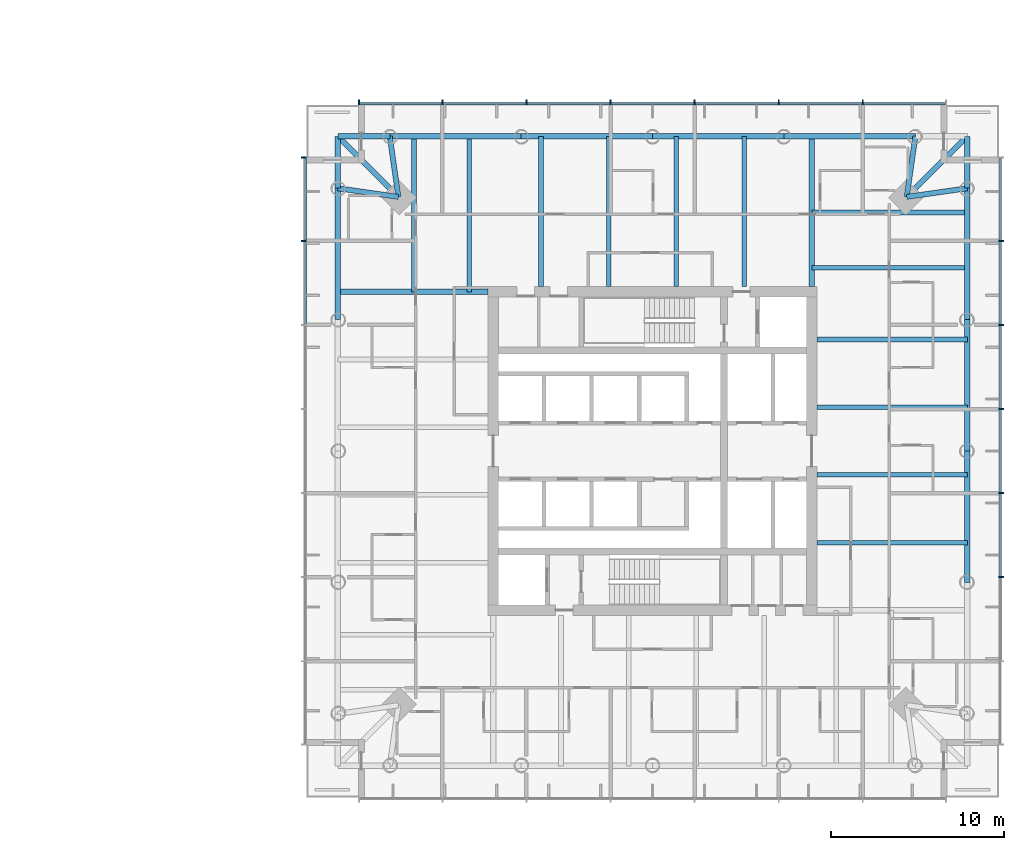
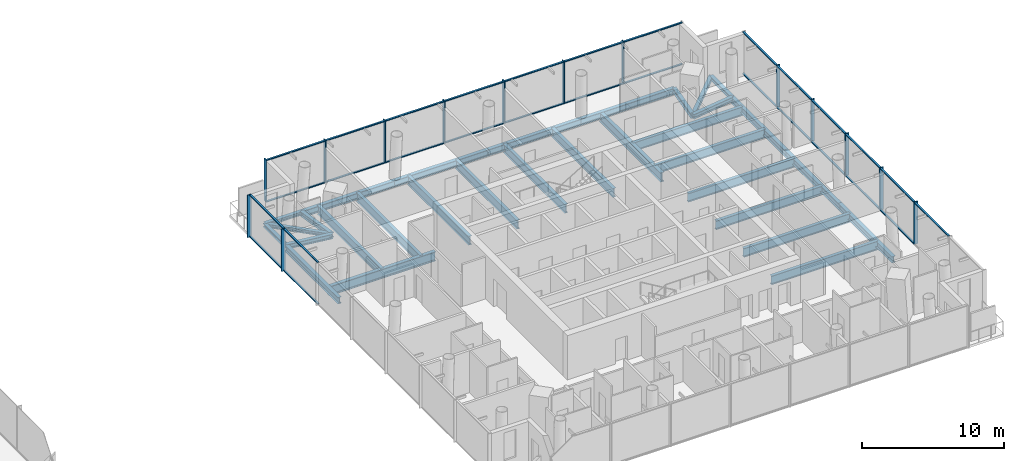
# One storey, part 6 of 22: 43 members, 31 beams, 3 elements without a shape of their own.
"""IFC4 building model written with IfcOpenShell, lengths in metres."""

from ifc_helpers import new_model, si_unit, direction, frame, origin, origin_2d, place, context, subcontext, project, spatial, rectangle, i_section, extrude, material, material_profile, profile_set, type_object, element, aggregate, save


model = new_model("IFC4")

# Units and contexts
model_context = context("Model", 3, precision=1e-05, world=origin(), true_north=direction((0.0, 1.0)))
body_context = subcontext(model_context, "Body", "Model", "MODEL_VIEW")
ifc_project = project(units=[si_unit("LENGTHUNIT", "METRE"), si_unit("AREAUNIT", "SQUARE_METRE"), si_unit("VOLUMEUNIT", "CUBIC_METRE"), si_unit("PLANEANGLEUNIT", "RADIAN"), si_unit("MASSUNIT", "GRAM", prefix="KILO")], contexts=[model_context])

# Site, building, storey
site_placement = place(None, origin())
site = spatial("IfcSite", under=ifc_project, at=site_placement, CompositionType="ELEMENT")
building_placement = place(site_placement, origin())
building = spatial("IfcBuilding", under=site, at=building_placement, Name="Ostroluk Exchange", CompositionType="ELEMENT")
storey_placement = place(building_placement, frame((0.0, 0.0, 40.0)))
storey = spatial("IfcBuildingStorey", under=building, at=storey_placement, Name="L09", CompositionType="ELEMENT", Elevation=40.0)

# Beams
ifc_material_1 = material(Name="Steel S355", Category="steel")
ifc_material_profile_1 = material_profile(ifc_material_1, i_section(OverallWidth=0.300048828125, OverallDepth=0.300048828125, WebThickness=0.010986328125, FlangeThickness=0.01904296875, FilletRadius=0.027099609375, at=origin_2d()), Name="HEB 300")
ifc_profile_set_1 = profile_set([ifc_material_profile_1], Name="Steel S355")
beam_type_1 = type_object("IfcBeamType", Name="Balcony beam HEB 300", PredefinedType="BEAM", material=ifc_profile_set_1)
beam_1_placement = place(storey_placement, frame((135.18115234375, 61.18115234375, -0.35009765625), z_axis=(0.0, 1.0, 0.0), x_axis=(-1.0, 0.0, 0.0)))
element("IfcBeam", 1, at=beam_1_placement, inside=storey, type_object=beam_type_1, Name="T2 east balcony beam a", PredefinedType="BEAM", context=body_context, shape_type="SweptSolid", body=[
    extrude(i_section(OverallWidth=0.300048828125, OverallDepth=0.300048828125, WebThickness=0.010986328125, FlangeThickness=0.01904296875, FilletRadius=0.027099609375, at=origin_2d()), origin(), (0.0, 0.0, 1.0), 3.0),
])
beam_2_placement = place(storey_placement, frame((131.68115234375, 60.68115234375, -0.35009765625), z_axis=(0.707106781187, 0.707106781187, 0.0), x_axis=(-0.707106781187, 0.707106781187, 0.0)))
element("IfcBeam", 2, at=beam_2_placement, inside=storey, type_object=beam_type_1, Name="T2 east balcony beam c", PredefinedType="BEAM", context=body_context, shape_type="SweptSolid", body=[
    extrude(i_section(OverallWidth=0.300048828125, OverallDepth=0.300048828125, WebThickness=0.010986328125, FlangeThickness=0.01904296875, FilletRadius=0.027099609375, at=origin_2d()), origin(), (0.0, 0.0, 1.0), 4.94970703125),
])
for number, where, z_axis, x_axis, name in (
    (3, (101.81884765625, 64.18115234375, -0.35009765625), (-1.0, 0.0, 0.0), (0.0, -1.0, 0.0), "T2 north balcony beam a"),
    (4, (98.81884765625, 61.18115234375, -0.35009765625), (0.0, 1.0, 0.0), (-1.0, 0.0, 0.0), "T2 north balcony beam b"),
):
    element("IfcBeam", number, at=place(storey_placement, frame(where, z_axis=z_axis, x_axis=x_axis)), inside=storey, type_object=beam_type_1, Name=name, PredefinedType="BEAM", context=body_context, shape_type="SweptSolid", body=[
        extrude(i_section(OverallWidth=0.300048828125, OverallDepth=0.300048828125, WebThickness=0.010986328125, FlangeThickness=0.01904296875, FilletRadius=0.027099609375, at=origin_2d()), origin(), (0.0, 0.0, 1.0), 3.0),
    ])
beam_3_placement = place(storey_placement, frame((102.31884765625, 60.68115234375, -0.35009765625), z_axis=(-0.707106781187, 0.707106781187, 0.0), x_axis=(-0.707106781187, -0.707106781187, 0.0)))
element("IfcBeam", 5, at=beam_3_placement, inside=storey, type_object=beam_type_1, Name="T2 north balcony beam c", PredefinedType="BEAM", context=body_context, shape_type="SweptSolid", body=[
    extrude(i_section(OverallWidth=0.300048828125, OverallDepth=0.300048828125, WebThickness=0.010986328125, FlangeThickness=0.01904296875, FilletRadius=0.027099609375, at=origin_2d()), origin(), (0.0, 0.0, 1.0), 4.94970703125),
])
ifc_material_2 = material(Name="Steel S355", Category="steel")
ifc_material_profile_2 = material_profile(ifc_material_2, i_section(OverallWidth=0.300048828125, OverallDepth=0.39990234375, WebThickness=0.013427734375, FlangeThickness=0.02392578125, FilletRadius=0.027099609375, at=origin_2d()), Name="HEB 400")
ifc_profile_set_2 = profile_set([ifc_material_profile_2], Name="Steel S355")
beam_type_2 = type_object("IfcBeamType", Name="Corner edge beam HEB 400", PredefinedType="SPANDREL", material=ifc_profile_set_2)
for number, where, z_axis, x_axis, name in (
    (6, (131.68115234375, 60.68115234375, -0.39990234375), (0.989949493661, 0.141421356237, 0.0), (-0.141421356237, 0.989949493661, 0.0), "T2 east corner edge beam a"),
    (7, (131.68115234375, 60.68115234375, -0.39990234375), (0.141421356237, 0.989949493661, 0.0), (-0.989949493661, 0.141421356237, 0.0), "T2 east corner edge beam b"),
    (8, (102.31884765625, 60.68115234375, -0.39990234375), (-0.141421356237, 0.989949493661, 0.0), (-0.989949493661, -0.141421356237, 0.0), "T2 north corner edge beam a"),
    (9, (102.31884765625, 60.68115234375, -0.39990234375), (-0.989949493661, 0.141421356237, 0.0), (-0.141421356237, -0.989949493661, 0.0), "T2 north corner edge beam b"),
):
    element("IfcBeam", number, at=place(storey_placement, frame(where, z_axis=z_axis, x_axis=x_axis)), inside=storey, type_object=beam_type_2, Name=name, PredefinedType="SPANDREL", context=body_context, shape_type="SweptSolid", body=[
        extrude(i_section(OverallWidth=0.300048828125, OverallDepth=0.39990234375, WebThickness=0.013427734375, FlangeThickness=0.02392578125, FilletRadius=0.027099609375, at=origin_2d()), origin(), (0.0, 0.0, 1.0), 3.53564453125),
    ])
ifc_material_3 = material(Name="Steel S355", Category="steel")
ifc_material_profile_3 = material_profile(ifc_material_3, i_section(OverallWidth=0.264892578125, OverallDepth=0.7529296875, WebThickness=0.01318359375, FlangeThickness=0.01708984375, FilletRadius=0.01708984375, at=origin_2d()), Name="IPE 750x147")
ifc_profile_set_3 = profile_set([ifc_material_profile_3], Name="Steel S355")
beam_type_3 = type_object("IfcBeamType", Name="Floor beam IPE 750x147", PredefinedType="BEAM", material=ifc_profile_set_3)
for number, where, z_axis, x_axis, name in (
    (10, (126.5, 40.711669921875, -0.576416015625), (1.0, 0.0, 0.0), (0.0, 1.0, 0.0), "T2 east floor beam 1"),
    (11, (126.5, 44.623046875, -0.576416015625), (1.0, 0.0, 0.0), (0.0, 1.0, 0.0), "T2 east floor beam 2"),
    (12, (126.5, 48.53466796875, -0.576416015625), (1.0, 0.0, 0.0), (0.0, 1.0, 0.0), "T2 east floor beam 3"),
    (13, (126.5, 52.4462890625, -0.576416015625), (1.0, 0.0, 0.0), (0.0, 1.0, 0.0), "T2 east floor beam 4"),
):
    element("IfcBeam", number, at=place(storey_placement, frame(where, z_axis=z_axis, x_axis=x_axis)), inside=storey, type_object=beam_type_3, Name=name, PredefinedType="BEAM", context=body_context, shape_type="SweptSolid", body=[
        extrude(i_section(OverallWidth=0.264892578125, OverallDepth=0.7529296875, WebThickness=0.01318359375, FlangeThickness=0.01708984375, FilletRadius=0.01708984375, at=origin_2d()), origin(), (0.0, 0.0, 1.0), 8.68115234375),
    ])
for number, where, z_axis, x_axis, name in (
    (14, (126.199951171875, 56.60009765625, -0.576416015625), (1.0, 0.0, 0.0), (0.0, 1.0, 0.0), "T2 east floor beam 5"),
    (15, (126.199951171875, 59.781005859375, -0.576416015625), (1.0, 0.0, 0.0), (0.0, 1.0, 0.0), "T2 east floor beam 6"),
):
    element("IfcBeam", number, at=place(storey_placement, frame(where, z_axis=z_axis, x_axis=x_axis)), inside=storey, type_object=beam_type_3, Name=name, PredefinedType="BEAM", context=body_context, shape_type="SweptSolid", body=[
        extrude(i_section(OverallWidth=0.264892578125, OverallDepth=0.7529296875, WebThickness=0.01318359375, FlangeThickness=0.01708984375, FilletRadius=0.01708984375, at=origin_2d()), origin(), (0.0, 0.0, 1.0), 8.981201171875),
    ])
for number, where, z_axis, x_axis, name in (
    (16, (122.288330078125, 55.5, -0.576416015625), (0.0, 1.0, 0.0), (-1.0, 0.0, 0.0), "T2 north floor beam 1"),
    (17, (118.376953125, 55.5, -0.576416015625), (0.0, 1.0, 0.0), (-1.0, 0.0, 0.0), "T2 north floor beam 2"),
    (18, (114.46533203125, 55.5, -0.576416015625), (0.0, 1.0, 0.0), (-1.0, 0.0, 0.0), "T2 north floor beam 3"),
    (19, (110.5537109375, 55.5, -0.576416015625), (0.0, 1.0, 0.0), (-1.0, 0.0, 0.0), "T2 north floor beam 4"),
):
    element("IfcBeam", number, at=place(storey_placement, frame(where, z_axis=z_axis, x_axis=x_axis)), inside=storey, type_object=beam_type_3, Name=name, PredefinedType="BEAM", context=body_context, shape_type="SweptSolid", body=[
        extrude(i_section(OverallWidth=0.264892578125, OverallDepth=0.7529296875, WebThickness=0.01318359375, FlangeThickness=0.01708984375, FilletRadius=0.01708984375, at=origin_2d()), origin(), (0.0, 0.0, 1.0), 8.68115234375),
    ])
for number, where, z_axis, x_axis, name in (
    (20, (106.39990234375, 55.199951171875, -0.576416015625), (0.0, 1.0, 0.0), (-1.0, 0.0, 0.0), "T2 north floor beam 5"),
    (21, (103.218994140625, 55.199951171875, -0.576416015625), (0.0, 1.0, 0.0), (-1.0, 0.0, 0.0), "T2 north floor beam 6"),
):
    element("IfcBeam", number, at=place(storey_placement, frame(where, z_axis=z_axis, x_axis=x_axis)), inside=storey, type_object=beam_type_3, Name=name, PredefinedType="BEAM", context=body_context, shape_type="SweptSolid", body=[
        extrude(i_section(OverallWidth=0.264892578125, OverallDepth=0.7529296875, WebThickness=0.01318359375, FlangeThickness=0.01708984375, FilletRadius=0.01708984375, at=origin_2d()), origin(), (0.0, 0.0, 1.0), 8.981201171875),
    ])
ifc_material_4 = material(Name="Steel S355", Category="steel")
ifc_material_profile_4 = material_profile(ifc_material_4, i_section(OverallWidth=0.300048828125, OverallDepth=0.800048828125, WebThickness=0.017578125, FlangeThickness=0.032958984375, FilletRadius=0.030029296875, at=origin_2d()), Name="HEB 800")
ifc_profile_set_4 = profile_set([ifc_material_profile_4], Name="Steel S355")
beam_type_4 = type_object("IfcBeamType", Name="Girder HEB 800", PredefinedType="BEAM", material=ifc_profile_set_4)
for number, where, z_axis, x_axis, name in (
    (22, (126.199951171875, 55.5, -0.60009765625), (0.0, 1.0, 0.0), (-1.0, 0.0, 0.0), "T2 east girder"),
    (23, (107.5, 55.199951171875, -0.60009765625), (-1.0, 0.0, 0.0), (0.0, -1.0, 0.0), "T2 north girder"),
):
    element("IfcBeam", number, at=place(storey_placement, frame(where, z_axis=z_axis, x_axis=x_axis)), inside=storey, type_object=beam_type_4, Name=name, PredefinedType="BEAM", context=body_context, shape_type="SweptSolid", body=[
        extrude(i_section(OverallWidth=0.300048828125, OverallDepth=0.800048828125, WebThickness=0.017578125, FlangeThickness=0.032958984375, FilletRadius=0.030029296875, at=origin_2d()), origin(), (0.0, 0.0, 1.0), 8.68115234375),
    ])
ifc_material_5 = material(Name="Steel S355", Category="steel")
ifc_material_profile_5 = material_profile(ifc_material_5, i_section(OverallWidth=0.300048828125, OverallDepth=0.550048828125, WebThickness=0.014892578125, FlangeThickness=0.029052734375, FilletRadius=0.027099609375, at=origin_2d()), Name="HEB 550")
ifc_profile_set_5 = profile_set([ifc_material_profile_5], Name="Steel S355")
beam_type_5 = type_object("IfcBeamType", Name="Moment-connected edge beam HEB 550", PredefinedType="SPANDREL", material=ifc_profile_set_5)
for number, where, z_axis, x_axis, name in (
    (24, (135.18115234375, 38.409423828125, -0.47509765625), (0.0, 1.0, 0.0), (-1.0, 0.0, 0.0), "T2 east edge beam 2"),
    (25, (135.18115234375, 46.0, -0.47509765625), (0.0, 1.0, 0.0), (-1.0, 0.0, 0.0), "T2 east edge beam 3"),
    (26, (135.18115234375, 53.590576171875, -0.47509765625), (0.0, 1.0, 0.0), (-1.0, 0.0, 0.0), "T2 east edge beam 4"),
    (27, (132.18115234375, 64.18115234375, -0.47509765625), (-1.0, 0.0, 0.0), (0.0, -1.0, 0.0), "T2 north edge beam 1"),
    (28, (124.590576171875, 64.18115234375, -0.47509765625), (-1.0, 0.0, 0.0), (0.0, -1.0, 0.0), "T2 north edge beam 2"),
    (29, (117.0, 64.18115234375, -0.47509765625), (-1.0, 0.0, 0.0), (0.0, -1.0, 0.0), "T2 north edge beam 3"),
    (30, (109.409423828125, 64.18115234375, -0.47509765625), (-1.0, 0.0, 0.0), (0.0, -1.0, 0.0), "T2 north edge beam 4"),
    (31, (98.81884765625, 61.18115234375, -0.47509765625), (0.0, -1.0, 0.0), (1.0, 0.0, 0.0), "T2 west edge beam 1"),
):
    element("IfcBeam", number, at=place(storey_placement, frame(where, z_axis=z_axis, x_axis=x_axis)), inside=storey, type_object=beam_type_5, Name=name, PredefinedType="SPANDREL", context=body_context, shape_type="SweptSolid", body=[
        extrude(i_section(OverallWidth=0.300048828125, OverallDepth=0.550048828125, WebThickness=0.014892578125, FlangeThickness=0.029052734375, FilletRadius=0.027099609375, at=origin_2d()), origin(), (0.0, 0.0, 1.0), 7.590576171875),
    ])

# Curtain wall, members
ifc_material_6 = material(Name="Laminated clear glass", Category="glass")
curtain_wall_type = type_object("IfcCurtainWallType", Name="Hotel guest floor facade", PredefinedType="USERDEFINED", material=ifc_material_6)
curtain_wall_1_placement = place(storey_placement, origin())
curtain_wall_1 = element("IfcCurtainWall", 32, at=curtain_wall_1_placement, inside=storey, type_object=curtain_wall_type, Name="Hotel tower east facade L09", ObjectType="UNITISED CURTAIN WALL", PredefinedType="USERDEFINED")
ifc_material_7 = material(Name="Aluminium mullion", Category="aluminium")
ifc_material_profile_6 = material_profile(ifc_material_7, rectangle(XDim=0.14990234375, YDim=0.080078125, at=origin_2d()), Name="Sill transom 80 x 150")
ifc_profile_set_6 = profile_set([ifc_material_profile_6], Name="Aluminium mullion")
member_type_1 = type_object("IfcMemberType", Name="Sill transom 80 x 150", PredefinedType="USERDEFINED", material=ifc_profile_set_6)
member_1_placement = place(storey_placement, frame((137.074951171875, 33.897216796875, 3.610107421875), z_axis=(0.0, 1.0, 0.0), x_axis=(-1.0, 0.0, 0.0)))
member_1 = element("IfcMember", 33, at=member_1_placement, type_object=member_type_1, Name="CW-H1 transom 2.2", ObjectType="TRANSOM", PredefinedType="USERDEFINED", context=body_context, shape_type="SweptSolid", body=[
    extrude(rectangle(XDim=0.14990234375, YDim=0.080078125, at=origin_2d()), origin(), (0.0, 0.0, 1.0), 4.777099609375),
])
member_2_placement = place(storey_placement, frame((137.074951171875, 38.75439453125, 0.0400390625), z_axis=(0.0, 1.0, 0.0), x_axis=(-1.0, 0.0, 0.0)))
member_2 = element("IfcMember", 34, at=member_2_placement, type_object=member_type_1, Name="CW-H1 transom 3.1", ObjectType="TRANSOM", PredefinedType="USERDEFINED", context=body_context, shape_type="SweptSolid", body=[
    extrude(rectangle(XDim=0.14990234375, YDim=0.080078125, at=origin_2d()), origin(), (0.0, 0.0, 1.0), 4.777099609375),
])
member_3_placement = place(storey_placement, frame((137.074951171875, 38.75439453125, 3.610107421875), z_axis=(0.0, 1.0, 0.0), x_axis=(-1.0, 0.0, 0.0)))
member_3 = element("IfcMember", 35, at=member_3_placement, type_object=member_type_1, Name="CW-H1 transom 3.2", ObjectType="TRANSOM", PredefinedType="USERDEFINED", context=body_context, shape_type="SweptSolid", body=[
    extrude(rectangle(XDim=0.14990234375, YDim=0.080078125, at=origin_2d()), origin(), (0.0, 0.0, 1.0), 4.777099609375),
])
member_4_placement = place(storey_placement, frame((137.074951171875, 43.611328125, 0.0400390625), z_axis=(0.0, 1.0, 0.0), x_axis=(-1.0, 0.0, 0.0)))
member_4 = element("IfcMember", 36, at=member_4_placement, type_object=member_type_1, Name="CW-H1 transom 4.1", ObjectType="TRANSOM", PredefinedType="USERDEFINED", context=body_context, shape_type="SweptSolid", body=[
    extrude(rectangle(XDim=0.14990234375, YDim=0.080078125, at=origin_2d()), origin(), (0.0, 0.0, 1.0), 4.77734375),
])
member_5_placement = place(storey_placement, frame((137.074951171875, 43.611328125, 3.610107421875), z_axis=(0.0, 1.0, 0.0), x_axis=(-1.0, 0.0, 0.0)))
member_5 = element("IfcMember", 37, at=member_5_placement, type_object=member_type_1, Name="CW-H1 transom 4.2", ObjectType="TRANSOM", PredefinedType="USERDEFINED", context=body_context, shape_type="SweptSolid", body=[
    extrude(rectangle(XDim=0.14990234375, YDim=0.080078125, at=origin_2d()), origin(), (0.0, 0.0, 1.0), 4.77734375),
])
member_6_placement = place(storey_placement, frame((137.074951171875, 48.468505859375, 0.0400390625), z_axis=(0.0, 1.0, 0.0), x_axis=(-1.0, 0.0, 0.0)))
member_6 = element("IfcMember", 38, at=member_6_placement, type_object=member_type_1, Name="CW-H1 transom 5.1", ObjectType="TRANSOM", PredefinedType="USERDEFINED", context=body_context, shape_type="SweptSolid", body=[
    extrude(rectangle(XDim=0.14990234375, YDim=0.080078125, at=origin_2d()), origin(), (0.0, 0.0, 1.0), 4.777099609375),
])
member_7_placement = place(storey_placement, frame((137.074951171875, 48.468505859375, 3.610107421875), z_axis=(0.0, 1.0, 0.0), x_axis=(-1.0, 0.0, 0.0)))
member_7 = element("IfcMember", 39, at=member_7_placement, type_object=member_type_1, Name="CW-H1 transom 5.2", ObjectType="TRANSOM", PredefinedType="USERDEFINED", context=body_context, shape_type="SweptSolid", body=[
    extrude(rectangle(XDim=0.14990234375, YDim=0.080078125, at=origin_2d()), origin(), (0.0, 0.0, 1.0), 4.777099609375),
])
member_8_placement = place(storey_placement, frame((137.074951171875, 53.32568359375, 0.0400390625), z_axis=(0.0, 1.0, 0.0), x_axis=(-1.0, 0.0, 0.0)))
member_8 = element("IfcMember", 40, at=member_8_placement, type_object=member_type_1, Name="CW-H1 transom 6.1", ObjectType="TRANSOM", PredefinedType="USERDEFINED", context=body_context, shape_type="SweptSolid", body=[
    extrude(rectangle(XDim=0.14990234375, YDim=0.080078125, at=origin_2d()), origin(), (0.0, 0.0, 1.0), 4.777099609375),
])
member_9_placement = place(storey_placement, frame((137.074951171875, 53.32568359375, 3.610107421875), z_axis=(0.0, 1.0, 0.0), x_axis=(-1.0, 0.0, 0.0)))
member_9 = element("IfcMember", 41, at=member_9_placement, type_object=member_type_1, Name="CW-H1 transom 6.2", ObjectType="TRANSOM", PredefinedType="USERDEFINED", context=body_context, shape_type="SweptSolid", body=[
    extrude(rectangle(XDim=0.14990234375, YDim=0.080078125, at=origin_2d()), origin(), (0.0, 0.0, 1.0), 4.777099609375),
])
member_10_placement = place(storey_placement, frame((137.074951171875, 58.182861328125, 0.0400390625), z_axis=(0.0, 1.0, 0.0), x_axis=(-1.0, 0.0, 0.0)))
member_10 = element("IfcMember", 42, at=member_10_placement, type_object=member_type_1, Name="CW-H1 transom 7.1", ObjectType="TRANSOM", PredefinedType="USERDEFINED", context=body_context, shape_type="SweptSolid", body=[
    extrude(rectangle(XDim=0.14990234375, YDim=0.080078125, at=origin_2d()), origin(), (0.0, 0.0, 1.0), 4.737060546875),
])
member_11_placement = place(storey_placement, frame((137.074951171875, 58.182861328125, 3.610107421875), z_axis=(0.0, 1.0, 0.0), x_axis=(-1.0, 0.0, 0.0)))
member_11 = element("IfcMember", 43, at=member_11_placement, type_object=member_type_1, Name="CW-H1 transom 7.2", ObjectType="TRANSOM", PredefinedType="USERDEFINED", context=body_context, shape_type="SweptSolid", body=[
    extrude(rectangle(XDim=0.14990234375, YDim=0.080078125, at=origin_2d()), origin(), (0.0, 0.0, 1.0), 4.737060546875),
])

curtain_wall_2_placement = place(storey_placement, origin())
curtain_wall_2 = element("IfcCurtainWall", 44, at=curtain_wall_2_placement, inside=storey, type_object=curtain_wall_type, Name="Hotel tower north facade L09", ObjectType="UNITISED CURTAIN WALL", PredefinedType="USERDEFINED")
member_12_placement = place(storey_placement, frame((133.919921875, 66.074951171875, 0.0400390625), z_axis=(-1.0, 0.0, 0.0), x_axis=(0.0, -1.0, 0.0)))
member_12 = element("IfcMember", 45, at=member_12_placement, type_object=member_type_1, Name="CW-H1 transom 1.1", ObjectType="TRANSOM", PredefinedType="USERDEFINED", context=body_context, shape_type="SweptSolid", body=[
    extrude(rectangle(XDim=0.14990234375, YDim=0.080078125, at=origin_2d()), origin(), (0.0, 0.0, 1.0), 4.737060546875),
])
member_13_placement = place(storey_placement, frame((133.919921875, 66.074951171875, 3.610107421875), z_axis=(-1.0, 0.0, 0.0), x_axis=(0.0, -1.0, 0.0)))
member_13 = element("IfcMember", 46, at=member_13_placement, type_object=member_type_1, Name="CW-H1 transom 1.2", ObjectType="TRANSOM", PredefinedType="USERDEFINED", context=body_context, shape_type="SweptSolid", body=[
    extrude(rectangle(XDim=0.14990234375, YDim=0.080078125, at=origin_2d()), origin(), (0.0, 0.0, 1.0), 4.737060546875),
])
member_14_placement = place(storey_placement, frame((129.102783203125, 66.074951171875, 0.0400390625), z_axis=(-1.0, 0.0, 0.0), x_axis=(0.0, -1.0, 0.0)))
member_14 = element("IfcMember", 47, at=member_14_placement, type_object=member_type_1, Name="CW-H1 transom 2.1", ObjectType="TRANSOM", PredefinedType="USERDEFINED", context=body_context, shape_type="SweptSolid", body=[
    extrude(rectangle(XDim=0.14990234375, YDim=0.080078125, at=origin_2d()), origin(), (0.0, 0.0, 1.0), 4.777099609375),
])
member_15_placement = place(storey_placement, frame((129.102783203125, 66.074951171875, 3.610107421875), z_axis=(-1.0, 0.0, 0.0), x_axis=(0.0, -1.0, 0.0)))
member_15 = element("IfcMember", 48, at=member_15_placement, type_object=member_type_1, Name="CW-H1 transom 2.2", ObjectType="TRANSOM", PredefinedType="USERDEFINED", context=body_context, shape_type="SweptSolid", body=[
    extrude(rectangle(XDim=0.14990234375, YDim=0.080078125, at=origin_2d()), origin(), (0.0, 0.0, 1.0), 4.777099609375),
])
member_16_placement = place(storey_placement, frame((124.24560546875, 66.074951171875, 0.0400390625), z_axis=(-1.0, 0.0, 0.0), x_axis=(0.0, -1.0, 0.0)))
member_16 = element("IfcMember", 49, at=member_16_placement, type_object=member_type_1, Name="CW-H1 transom 3.1", ObjectType="TRANSOM", PredefinedType="USERDEFINED", context=body_context, shape_type="SweptSolid", body=[
    extrude(rectangle(XDim=0.14990234375, YDim=0.080078125, at=origin_2d()), origin(), (0.0, 0.0, 1.0), 4.777099609375),
])
member_17_placement = place(storey_placement, frame((124.24560546875, 66.074951171875, 3.610107421875), z_axis=(-1.0, 0.0, 0.0), x_axis=(0.0, -1.0, 0.0)))
member_17 = element("IfcMember", 50, at=member_17_placement, type_object=member_type_1, Name="CW-H1 transom 3.2", ObjectType="TRANSOM", PredefinedType="USERDEFINED", context=body_context, shape_type="SweptSolid", body=[
    extrude(rectangle(XDim=0.14990234375, YDim=0.080078125, at=origin_2d()), origin(), (0.0, 0.0, 1.0), 4.777099609375),
])
member_18_placement = place(storey_placement, frame((119.388671875, 66.074951171875, 0.0400390625), z_axis=(-1.0, 0.0, 0.0), x_axis=(0.0, -1.0, 0.0)))
member_18 = element("IfcMember", 51, at=member_18_placement, type_object=member_type_1, Name="CW-H1 transom 4.1", ObjectType="TRANSOM", PredefinedType="USERDEFINED", context=body_context, shape_type="SweptSolid", body=[
    extrude(rectangle(XDim=0.14990234375, YDim=0.080078125, at=origin_2d()), origin(), (0.0, 0.0, 1.0), 4.77734375),
])
member_19_placement = place(storey_placement, frame((119.388671875, 66.074951171875, 3.610107421875), z_axis=(-1.0, 0.0, 0.0), x_axis=(0.0, -1.0, 0.0)))
member_19 = element("IfcMember", 52, at=member_19_placement, type_object=member_type_1, Name="CW-H1 transom 4.2", ObjectType="TRANSOM", PredefinedType="USERDEFINED", context=body_context, shape_type="SweptSolid", body=[
    extrude(rectangle(XDim=0.14990234375, YDim=0.080078125, at=origin_2d()), origin(), (0.0, 0.0, 1.0), 4.77734375),
])
member_20_placement = place(storey_placement, frame((114.531494140625, 66.074951171875, 0.0400390625), z_axis=(-1.0, 0.0, 0.0), x_axis=(0.0, -1.0, 0.0)))
member_20 = element("IfcMember", 53, at=member_20_placement, type_object=member_type_1, Name="CW-H1 transom 5.1", ObjectType="TRANSOM", PredefinedType="USERDEFINED", context=body_context, shape_type="SweptSolid", body=[
    extrude(rectangle(XDim=0.14990234375, YDim=0.080078125, at=origin_2d()), origin(), (0.0, 0.0, 1.0), 4.777099609375),
])
member_21_placement = place(storey_placement, frame((114.531494140625, 66.074951171875, 3.610107421875), z_axis=(-1.0, 0.0, 0.0), x_axis=(0.0, -1.0, 0.0)))
member_21 = element("IfcMember", 54, at=member_21_placement, type_object=member_type_1, Name="CW-H1 transom 5.2", ObjectType="TRANSOM", PredefinedType="USERDEFINED", context=body_context, shape_type="SweptSolid", body=[
    extrude(rectangle(XDim=0.14990234375, YDim=0.080078125, at=origin_2d()), origin(), (0.0, 0.0, 1.0), 4.777099609375),
])
member_22_placement = place(storey_placement, frame((109.67431640625, 66.074951171875, 0.0400390625), z_axis=(-1.0, 0.0, 0.0), x_axis=(0.0, -1.0, 0.0)))
member_22 = element("IfcMember", 55, at=member_22_placement, type_object=member_type_1, Name="CW-H1 transom 6.1", ObjectType="TRANSOM", PredefinedType="USERDEFINED", context=body_context, shape_type="SweptSolid", body=[
    extrude(rectangle(XDim=0.14990234375, YDim=0.080078125, at=origin_2d()), origin(), (0.0, 0.0, 1.0), 4.777099609375),
])
member_23_placement = place(storey_placement, frame((109.67431640625, 66.074951171875, 3.610107421875), z_axis=(-1.0, 0.0, 0.0), x_axis=(0.0, -1.0, 0.0)))
member_23 = element("IfcMember", 56, at=member_23_placement, type_object=member_type_1, Name="CW-H1 transom 6.2", ObjectType="TRANSOM", PredefinedType="USERDEFINED", context=body_context, shape_type="SweptSolid", body=[
    extrude(rectangle(XDim=0.14990234375, YDim=0.080078125, at=origin_2d()), origin(), (0.0, 0.0, 1.0), 4.777099609375),
])
member_24_placement = place(storey_placement, frame((104.817138671875, 66.074951171875, 0.0400390625), z_axis=(-1.0, 0.0, 0.0), x_axis=(0.0, -1.0, 0.0)))
member_24 = element("IfcMember", 57, at=member_24_placement, type_object=member_type_1, Name="CW-H1 transom 7.1", ObjectType="TRANSOM", PredefinedType="USERDEFINED", context=body_context, shape_type="SweptSolid", body=[
    extrude(rectangle(XDim=0.14990234375, YDim=0.080078125, at=origin_2d()), origin(), (0.0, 0.0, 1.0), 4.737060546875),
])
member_25_placement = place(storey_placement, frame((104.817138671875, 66.074951171875, 3.610107421875), z_axis=(-1.0, 0.0, 0.0), x_axis=(0.0, -1.0, 0.0)))
member_25 = element("IfcMember", 58, at=member_25_placement, type_object=member_type_1, Name="CW-H1 transom 7.2", ObjectType="TRANSOM", PredefinedType="USERDEFINED", context=body_context, shape_type="SweptSolid", body=[
    extrude(rectangle(XDim=0.14990234375, YDim=0.080078125, at=origin_2d()), origin(), (0.0, 0.0, 1.0), 4.737060546875),
])

curtain_wall_3_placement = place(storey_placement, origin())
curtain_wall_3 = element("IfcCurtainWall", 59, at=curtain_wall_3_placement, inside=storey, type_object=curtain_wall_type, Name="Hotel tower west facade L09", ObjectType="UNITISED CURTAIN WALL", PredefinedType="USERDEFINED")
member_26_placement = place(storey_placement, frame((96.925048828125, 62.919921875, 0.0400390625), z_axis=(0.0, -1.0, 0.0), x_axis=(1.0, 0.0, 0.0)))
member_26 = element("IfcMember", 60, at=member_26_placement, type_object=member_type_1, Name="CW-H1 transom 1.1", ObjectType="TRANSOM", PredefinedType="USERDEFINED", context=body_context, shape_type="SweptSolid", body=[
    extrude(rectangle(XDim=0.14990234375, YDim=0.080078125, at=origin_2d()), origin(), (0.0, 0.0, 1.0), 4.737060546875),
])
member_27_placement = place(storey_placement, frame((96.925048828125, 62.919921875, 3.610107421875), z_axis=(0.0, -1.0, 0.0), x_axis=(1.0, 0.0, 0.0)))
member_27 = element("IfcMember", 61, at=member_27_placement, type_object=member_type_1, Name="CW-H1 transom 1.2", ObjectType="TRANSOM", PredefinedType="USERDEFINED", context=body_context, shape_type="SweptSolid", body=[
    extrude(rectangle(XDim=0.14990234375, YDim=0.080078125, at=origin_2d()), origin(), (0.0, 0.0, 1.0), 4.737060546875),
])
member_28_placement = place(storey_placement, frame((96.925048828125, 58.102783203125, 0.0400390625), z_axis=(0.0, -1.0, 0.0), x_axis=(1.0, 0.0, 0.0)))
member_28 = element("IfcMember", 62, at=member_28_placement, type_object=member_type_1, Name="CW-H1 transom 2.1", ObjectType="TRANSOM", PredefinedType="USERDEFINED", context=body_context, shape_type="SweptSolid", body=[
    extrude(rectangle(XDim=0.14990234375, YDim=0.080078125, at=origin_2d()), origin(), (0.0, 0.0, 1.0), 4.777099609375),
])
member_29_placement = place(storey_placement, frame((96.925048828125, 58.102783203125, 3.610107421875), z_axis=(0.0, -1.0, 0.0), x_axis=(1.0, 0.0, 0.0)))
member_29 = element("IfcMember", 63, at=member_29_placement, type_object=member_type_1, Name="CW-H1 transom 2.2", ObjectType="TRANSOM", PredefinedType="USERDEFINED", context=body_context, shape_type="SweptSolid", body=[
    extrude(rectangle(XDim=0.14990234375, YDim=0.080078125, at=origin_2d()), origin(), (0.0, 0.0, 1.0), 4.777099609375),
])

# Member
ifc_material_8 = material(Name="Aluminium mullion with limestone facing", Category="masonry")
ifc_material_profile_7 = material_profile(ifc_material_8, rectangle(XDim=0.300048828125, YDim=0.080078125, at=origin_2d()), Name="Tracery mullion 80 x 300")
ifc_profile_set_7 = profile_set([ifc_material_profile_7], Name="Aluminium mullion with limestone facing")
member_type_2 = type_object("IfcMemberType", Name="Tracery mullion 80 x 300", PredefinedType="MULLION", material=ifc_profile_set_7)
member_30_placement = place(storey_placement, frame((137.14990234375, 38.71435546875, 0.0), z_axis=(0.0, 0.0, 1.0), x_axis=(-1.0, 0.0, 0.0)))
member_30 = element("IfcMember", 64, at=member_30_placement, type_object=member_type_2, Name="CW-H1 mullion 3", PredefinedType="MULLION", context=body_context, shape_type="SweptSolid", body=[
    extrude(rectangle(XDim=0.300048828125, YDim=0.080078125, at=origin_2d()), origin(), (0.0, 0.0, 1.0), 3.64990234375),
])

member_31_placement = place(storey_placement, frame((137.14990234375, 43.571533203125, 0.0), z_axis=(0.0, 0.0, 1.0), x_axis=(-1.0, 0.0, 0.0)))
member_31 = element("IfcMember", 65, at=member_31_placement, type_object=member_type_2, Name="CW-H1 mullion 4", PredefinedType="MULLION", context=body_context, shape_type="SweptSolid", body=[
    extrude(rectangle(XDim=0.300048828125, YDim=0.080078125, at=origin_2d()), origin(), (0.0, 0.0, 1.0), 3.64990234375),
])

member_32_placement = place(storey_placement, frame((137.14990234375, 48.428466796875, 0.0), z_axis=(0.0, 0.0, 1.0), x_axis=(-1.0, 0.0, 0.0)))
member_32 = element("IfcMember", 66, at=member_32_placement, type_object=member_type_2, Name="CW-H1 mullion 5", PredefinedType="MULLION", context=body_context, shape_type="SweptSolid", body=[
    extrude(rectangle(XDim=0.300048828125, YDim=0.080078125, at=origin_2d()), origin(), (0.0, 0.0, 1.0), 3.64990234375),
])

member_33_placement = place(storey_placement, frame((137.14990234375, 53.28564453125, 0.0), z_axis=(0.0, 0.0, 1.0), x_axis=(-1.0, 0.0, 0.0)))
member_33 = element("IfcMember", 67, at=member_33_placement, type_object=member_type_2, Name="CW-H1 mullion 6", PredefinedType="MULLION", context=body_context, shape_type="SweptSolid", body=[
    extrude(rectangle(XDim=0.300048828125, YDim=0.080078125, at=origin_2d()), origin(), (0.0, 0.0, 1.0), 3.64990234375),
])

member_34_placement = place(storey_placement, frame((137.14990234375, 58.142822265625, 0.0), z_axis=(0.0, 0.0, 1.0), x_axis=(-1.0, 0.0, 0.0)))
member_34 = element("IfcMember", 68, at=member_34_placement, type_object=member_type_2, Name="CW-H1 mullion 7", PredefinedType="MULLION", context=body_context, shape_type="SweptSolid", body=[
    extrude(rectangle(XDim=0.300048828125, YDim=0.080078125, at=origin_2d()), origin(), (0.0, 0.0, 1.0), 3.64990234375),
])

aggregate(curtain_wall_1, [member_30, member_31, member_32, member_33, member_34, member_1, member_2, member_3, member_4, member_5, member_6, member_7, member_8, member_9, member_10, member_11])

member_35_placement = place(storey_placement, frame((129.142822265625, 66.14990234375, 0.0), z_axis=(0.0, 0.0, 1.0), x_axis=(0.0, -1.0, 0.0)))
member_35 = element("IfcMember", 69, at=member_35_placement, type_object=member_type_2, Name="CW-H1 mullion 2", PredefinedType="MULLION", context=body_context, shape_type="SweptSolid", body=[
    extrude(rectangle(XDim=0.300048828125, YDim=0.080078125, at=origin_2d()), origin(), (0.0, 0.0, 1.0), 3.64990234375),
])

member_36_placement = place(storey_placement, frame((124.28564453125, 66.14990234375, 0.0), z_axis=(0.0, 0.0, 1.0), x_axis=(0.0, -1.0, 0.0)))
member_36 = element("IfcMember", 70, at=member_36_placement, type_object=member_type_2, Name="CW-H1 mullion 3", PredefinedType="MULLION", context=body_context, shape_type="SweptSolid", body=[
    extrude(rectangle(XDim=0.300048828125, YDim=0.080078125, at=origin_2d()), origin(), (0.0, 0.0, 1.0), 3.64990234375),
])

member_37_placement = place(storey_placement, frame((119.428466796875, 66.14990234375, 0.0), z_axis=(0.0, 0.0, 1.0), x_axis=(0.0, -1.0, 0.0)))
member_37 = element("IfcMember", 71, at=member_37_placement, type_object=member_type_2, Name="CW-H1 mullion 4", PredefinedType="MULLION", context=body_context, shape_type="SweptSolid", body=[
    extrude(rectangle(XDim=0.300048828125, YDim=0.080078125, at=origin_2d()), origin(), (0.0, 0.0, 1.0), 3.64990234375),
])

member_38_placement = place(storey_placement, frame((114.571533203125, 66.14990234375, 0.0), z_axis=(0.0, 0.0, 1.0), x_axis=(0.0, -1.0, 0.0)))
member_38 = element("IfcMember", 72, at=member_38_placement, type_object=member_type_2, Name="CW-H1 mullion 5", PredefinedType="MULLION", context=body_context, shape_type="SweptSolid", body=[
    extrude(rectangle(XDim=0.300048828125, YDim=0.080078125, at=origin_2d()), origin(), (0.0, 0.0, 1.0), 3.64990234375),
])

member_39_placement = place(storey_placement, frame((109.71435546875, 66.14990234375, 0.0), z_axis=(0.0, 0.0, 1.0), x_axis=(0.0, -1.0, 0.0)))
member_39 = element("IfcMember", 73, at=member_39_placement, type_object=member_type_2, Name="CW-H1 mullion 6", PredefinedType="MULLION", context=body_context, shape_type="SweptSolid", body=[
    extrude(rectangle(XDim=0.300048828125, YDim=0.080078125, at=origin_2d()), origin(), (0.0, 0.0, 1.0), 3.64990234375),
])

member_40_placement = place(storey_placement, frame((104.857177734375, 66.14990234375, 0.0), z_axis=(0.0, 0.0, 1.0), x_axis=(0.0, -1.0, 0.0)))
member_40 = element("IfcMember", 74, at=member_40_placement, type_object=member_type_2, Name="CW-H1 mullion 7", PredefinedType="MULLION", context=body_context, shape_type="SweptSolid", body=[
    extrude(rectangle(XDim=0.300048828125, YDim=0.080078125, at=origin_2d()), origin(), (0.0, 0.0, 1.0), 3.64990234375),
])

member_41_placement = place(storey_placement, frame((100.0400390625, 66.14990234375, 0.0), z_axis=(0.0, 0.0, 1.0), x_axis=(0.0, -1.0, 0.0)))
member_41 = element("IfcMember", 75, at=member_41_placement, type_object=member_type_2, Name="CW-H1 mullion 8", PredefinedType="MULLION", context=body_context, shape_type="SweptSolid", body=[
    extrude(rectangle(XDim=0.300048828125, YDim=0.080078125, at=origin_2d()), origin(), (0.0, 0.0, 1.0), 3.64990234375),
])

aggregate(curtain_wall_2, [member_35, member_36, member_37, member_38, member_39, member_40, member_41, member_12, member_13, member_14, member_15, member_16, member_17, member_18, member_19, member_20, member_21, member_22, member_23, member_24, member_25])

member_42_placement = place(storey_placement, frame((96.85009765625, 62.9599609375, 0.0), z_axis=(0.0, 0.0, 1.0), x_axis=(1.0, 0.0, 0.0)))
member_42 = element("IfcMember", 76, at=member_42_placement, type_object=member_type_2, Name="CW-H1 mullion 1", PredefinedType="MULLION", context=body_context, shape_type="SweptSolid", body=[
    extrude(rectangle(XDim=0.300048828125, YDim=0.080078125, at=origin_2d()), origin(), (0.0, 0.0, 1.0), 3.64990234375),
])

member_43_placement = place(storey_placement, frame((96.85009765625, 58.142822265625, 0.0), z_axis=(0.0, 0.0, 1.0), x_axis=(1.0, 0.0, 0.0)))
member_43 = element("IfcMember", 77, at=member_43_placement, type_object=member_type_2, Name="CW-H1 mullion 2", PredefinedType="MULLION", context=body_context, shape_type="SweptSolid", body=[
    extrude(rectangle(XDim=0.300048828125, YDim=0.080078125, at=origin_2d()), origin(), (0.0, 0.0, 1.0), 3.64990234375),
])

aggregate(curtain_wall_3, [member_42, member_43, member_26, member_27, member_28, member_29])

save(model, "model.ifc")
